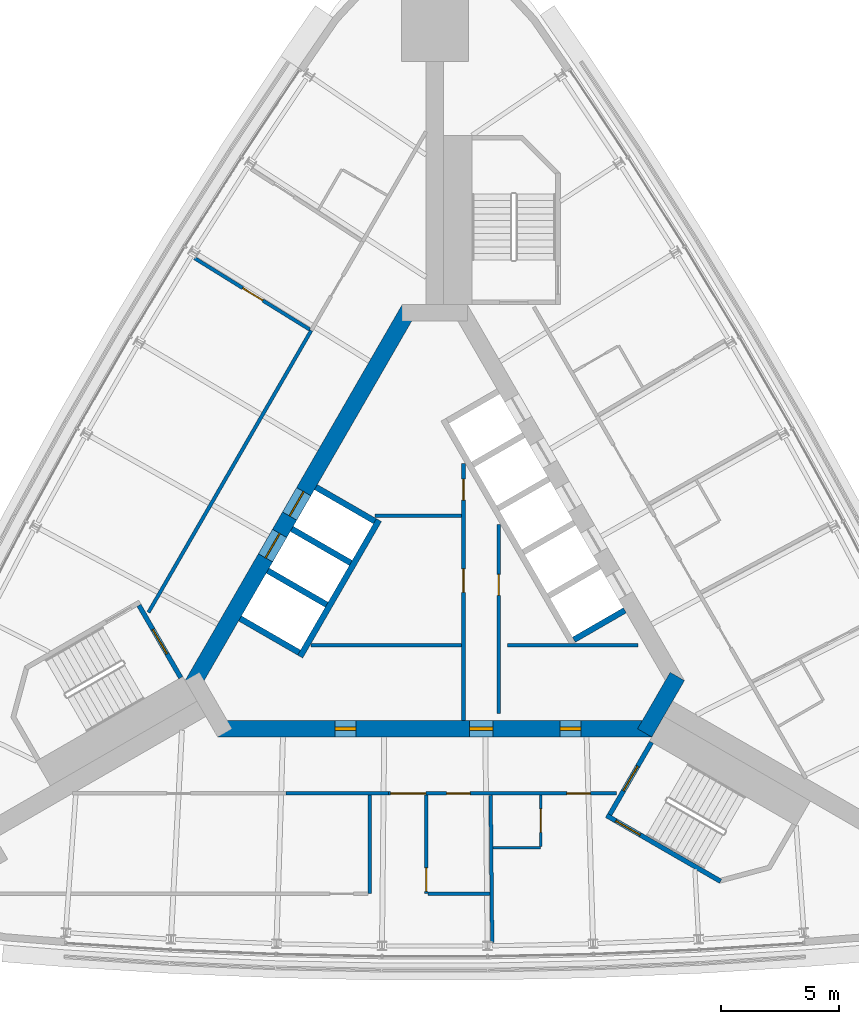
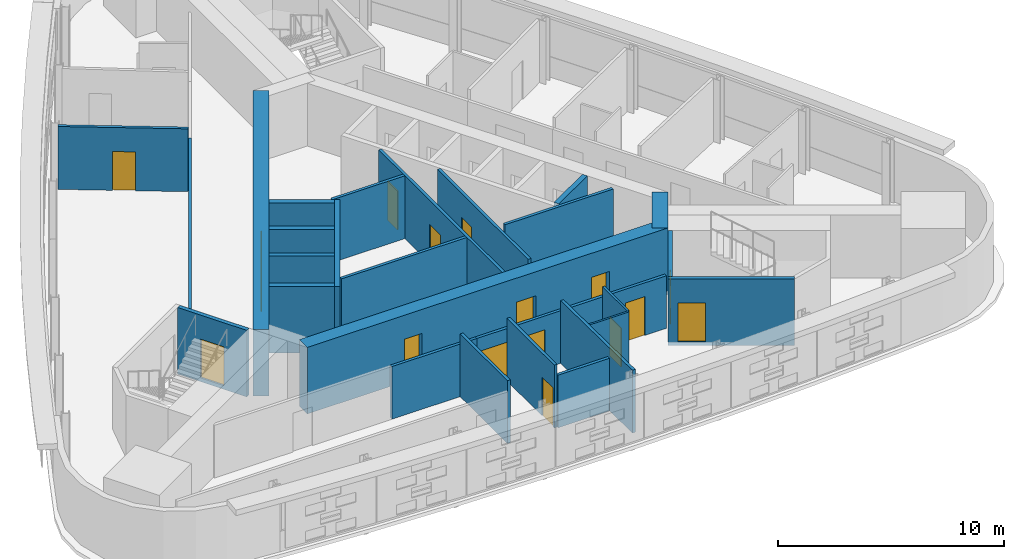
# One storey, part 8 of 12: 27 walls, 17 doors, 17 openings.
"""IFC4 building model written with IfcOpenShell, lengths in metres."""

from ifc_helpers import new_model, si_unit, direction, frame, frame_2d, origin, place, context, subcontext, project, spatial, rectangle, extrude, material, layer, layer_set, type_object, element, fill, save


model = new_model("IFC4")

# Units and contexts
model_context = context("Model", 3, precision=1e-05, world=origin(), true_north=direction((0.0, 1.0)))
body_context = subcontext(model_context, "Body", "Model", "MODEL_VIEW")
ifc_project = project(units=[si_unit("LENGTHUNIT", "METRE"), si_unit("AREAUNIT", "SQUARE_METRE"), si_unit("VOLUMEUNIT", "CUBIC_METRE"), si_unit("PLANEANGLEUNIT", "RADIAN"), si_unit("MASSUNIT", "GRAM", prefix="KILO")], contexts=[model_context])

# Site, building, storey
site_placement = place(None, origin())
site = spatial("IfcSite", under=ifc_project, at=site_placement, CompositionType="ELEMENT")
building_placement = place(site_placement, origin())
building = spatial("IfcBuilding", under=site, at=building_placement, Name="Noor Cloister Tower", CompositionType="ELEMENT")
storey_placement = place(building_placement, frame((0.0, 0.0, 158.10009765625)))
storey = spatial("IfcBuildingStorey", under=building, at=storey_placement, Name="L40", CompositionType="ELEMENT", Elevation=158.10009765625)

# Walls
ifc_material_1 = material(Name="Concrete C30/37", Category="concrete")
ifc_layer_1 = layer(ifc_material_1, 0.14990234375)
ifc_layer_set_1 = layer_set([ifc_layer_1], Name="Core partition 150 C30/37")
wall_type_1 = type_object("IfcWallType", Name="Core partition 150 C30/37", PredefinedType="PARTITIONING", material=ifc_layer_set_1)
wall_1_placement = place(storey_placement, frame((-5.2578125, -3.0283203125, 0.0), z_axis=(0.0, 0.0, 1.0), x_axis=(1.0, 0.0, 0.0)))
element("IfcWall", 1, at=wall_1_placement, inside=storey, type_object=wall_type_1, Name="Core room partition L40 1", PredefinedType="PARTITIONING", context=body_context, shape_type="SweptSolid", body=[
    extrude(rectangle(XDim=6.404052734375, YDim=0.14990234375, at=frame_2d((3.2021484375, 0.0))), origin(), (0.0, 0.0, 1.0), 3.39990234375),
])
wall_2_placement = place(storey_placement, frame((-2.55126953125, 2.4716796875, 0.0), z_axis=(0.0, 0.0, 1.0), x_axis=(1.0, 0.0, 0.0)))
element("IfcWall", 2, at=wall_2_placement, inside=storey, type_object=wall_type_1, Name="Core room partition L40 2", PredefinedType="PARTITIONING", context=body_context, shape_type="SweptSolid", body=[
    extrude(rectangle(XDim=3.697509765625, YDim=0.14990234375, at=frame_2d((1.8486328125, 0.0))), origin(), (0.0, 0.0, 1.0), 3.39990234375),
])

# Wall, openings, doors
wall_3_placement = place(storey_placement, frame((1.22119140625, 4.711181640625, 0.0), z_axis=(0.0, 0.0, 1.0), x_axis=(0.0, -1.0, 0.0)))
wall_3 = element("IfcWall", 3, at=wall_3_placement, inside=storey, type_object=wall_type_1, Name="Core room partition L40 3", PredefinedType="PARTITIONING", context=body_context, shape_type="SweptSolid", body=[
    extrude(rectangle(XDim=10.939453125, YDim=0.14990234375, at=frame_2d((5.4697265625, 0.0))), origin(), (0.0, 0.0, 1.0), 3.39990234375),
])
opening_1_placement = place(wall_3_placement, frame((4.4892578125, 0.0, 0.0)))
opening_1 = element("IfcOpeningElement", 4, at=opening_1_placement, cuts=wall_3, Name="Opening L40-904", PredefinedType="OPENING", context=body_context, shape_type="SweptSolid", body=[
    extrude(rectangle(XDim=1.0, YDim=2.10009765625, at=frame_2d((0.5, 1.050048828125))), frame((0.0, 0.0849609375, 0.0), z_axis=(0.0, -1.0, 0.0), x_axis=(1.0, 0.0, 0.0)), (0.0, 0.0, 1.0), 0.169921875),
])
opening_2_placement = place(wall_3_placement, frame((0.670654296875, 0.0, 0.0)))
opening_2 = element("IfcOpeningElement", 5, at=opening_2_placement, cuts=wall_3, Name="Opening L40-906", PredefinedType="OPENING", context=body_context, shape_type="SweptSolid", body=[
    extrude(rectangle(XDim=0.89990234375, YDim=2.10009765625, at=frame_2d((0.449951171875, 1.050048828125))), frame((0.0, 0.0849609375, 0.0), z_axis=(0.0, -1.0, 0.0), x_axis=(1.0, 0.0, 0.0)), (0.0, 0.0, 1.0), 0.169921875),
])
ifc_material_2 = material(Name="Steel", Category="steel")
door_type_1 = type_object("IfcDoorType", Name="Core door 1000 x 2100 FD60", OperationType="SINGLE_SWING_LEFT", PredefinedType="DOOR", material=ifc_material_2)
door_1_placement = place(opening_1_placement, origin())
door_1 = element("IfcDoor", 6, at=door_1_placement, inside=storey, type_object=door_type_1, Name="Core door 4 L40", OperationType="SINGLE_SWING_RIGHT", OverallHeight=2.10009765625, OverallWidth=1.0, PredefinedType="DOOR", context=body_context, shape_type="SweptSolid", body=[
    extrude(rectangle(XDim=1.0, YDim=2.10009765625, at=frame_2d((0.5, 1.050048828125))), frame((0.0, 0.02490234375, 0.0), z_axis=(0.0, -1.0, 0.0), x_axis=(1.0, 0.0, 0.0)), (0.0, 0.0, 1.0), 0.050048828125),
])
fill(opening_1, door_1)
ifc_material_3 = material(Name="Steel", Category="steel")
door_type_2 = type_object("IfcDoorType", Name="Core door 900 x 2100 FD120", OperationType="SINGLE_SWING_LEFT", PredefinedType="DOOR", material=ifc_material_3)
door_2_placement = place(opening_2_placement, origin())
door_2 = element("IfcDoor", 7, at=door_2_placement, inside=storey, type_object=door_type_2, Name="Core door 6 L40", OperationType="SINGLE_SWING_RIGHT", OverallHeight=2.10009765625, OverallWidth=0.89990234375, PredefinedType="DOOR", context=body_context, shape_type="SweptSolid", body=[
    extrude(rectangle(XDim=0.89990234375, YDim=2.10009765625, at=frame_2d((0.449951171875, 1.050048828125))), frame((0.0, 0.02490234375, 0.0), z_axis=(0.0, -1.0, 0.0), x_axis=(1.0, 0.0, 0.0)), (0.0, 0.0, 1.0), 0.050048828125),
])
fill(opening_2, door_2)

# Wall, opening, door
wall_4_placement = place(storey_placement, frame((2.72119140625, -5.92822265625, 0.0), z_axis=(0.0, 0.0, 1.0), x_axis=(0.0, 1.0, 0.0)))
wall_4 = element("IfcWall", 8, at=wall_4_placement, inside=storey, type_object=wall_type_1, Name="Core room partition L40 4", PredefinedType="PARTITIONING", context=body_context, shape_type="SweptSolid", body=[
    extrude(rectangle(XDim=8.041259765625, YDim=0.14990234375, at=frame_2d((4.0205078125, 0.0))), origin(), (0.0, 0.0, 1.0), 3.39990234375),
])
opening_3_placement = place(wall_4_placement, frame((5.01953125, 0.0, 0.0)))
opening_3 = element("IfcOpeningElement", 9, at=opening_3_placement, cuts=wall_4, Name="Opening L40-905", PredefinedType="OPENING", context=body_context, shape_type="SweptSolid", body=[
    extrude(rectangle(XDim=0.89990234375, YDim=2.10009765625, at=frame_2d((0.449951171875, 1.050048828125))), frame((0.0, 0.0849609375, 0.0), z_axis=(0.0, -1.0, 0.0), x_axis=(1.0, 0.0, 0.0)), (0.0, 0.0, 1.0), 0.169921875),
])
ifc_material_4 = material(Name="Steel", Category="steel")
door_type_3 = type_object("IfcDoorType", Name="Core door 900 x 2100 FD60", OperationType="SINGLE_SWING_LEFT", PredefinedType="DOOR", material=ifc_material_4)
door_3_placement = place(opening_3_placement, origin())
door_3 = element("IfcDoor", 10, at=door_3_placement, inside=storey, type_object=door_type_3, Name="Core door 5 L40", OperationType="SINGLE_SWING_LEFT", OverallHeight=2.10009765625, OverallWidth=0.89990234375, PredefinedType="DOOR", context=body_context, shape_type="SweptSolid", body=[
    extrude(rectangle(XDim=0.89990234375, YDim=2.10009765625, at=frame_2d((0.449951171875, 1.050048828125))), frame((0.0, 0.02490234375, 0.0), z_axis=(0.0, -1.0, 0.0), x_axis=(1.0, 0.0, 0.0)), (0.0, 0.0, 1.0), 0.050048828125),
])
fill(opening_3, door_3)

# Wall
wall_5_placement = place(storey_placement, frame((3.09619140625, -3.0283203125, 0.0), z_axis=(0.0, 0.0, 1.0), x_axis=(1.0, 0.0, 0.0)))
element("IfcWall", 11, at=wall_5_placement, inside=storey, type_object=wall_type_1, Name="Core room partition L40 5", PredefinedType="PARTITIONING", context=body_context, shape_type="SweptSolid", body=[
    extrude(rectangle(XDim=5.543701171875, YDim=0.14990234375, at=frame_2d((2.77197265625, 0.0))), origin(), (0.0, 0.0, 1.0), 3.39990234375),
])

# Wall, openings, doors
ifc_material_5 = material(Name="Concrete C70/85", Category="concrete")
ifc_layer_2 = layer(ifc_material_5, 0.699951171875)
ifc_layer_set_2 = layer_set([ifc_layer_2], Name="Core wall 700 C70/85")
wall_type_2 = type_object("IfcWallType", Name="Core wall 700 C70/85", PredefinedType="SHEAR", material=ifc_layer_set_2)
wall_6_placement = place(storey_placement, frame((-9.228759765625, -6.578125, -0.2001953125), z_axis=(0.0, 0.0, 1.0), x_axis=(1.0, 0.0, 0.0)))
wall_6 = element("IfcWall", 12, at=wall_6_placement, inside=storey, type_object=wall_type_2, Name="Core wall L40 1", PredefinedType="SHEAR", context=body_context, shape_type="SweptSolid", body=[
    extrude(rectangle(XDim=18.45751953125, YDim=0.699951171875, at=frame_2d((9.228759765625, 0.0))), origin(), (0.0, 0.0, 1.0), 3.60009765625),
])
opening_4_placement = place(wall_6_placement, frame((10.699951171875, 0.0, 0.199951171875)))
opening_4 = element("IfcOpeningElement", 13, at=opening_4_placement, cuts=wall_6, Name="Opening L40-901", PredefinedType="OPENING", context=body_context, shape_type="SweptSolid", body=[
    extrude(rectangle(XDim=1.0, YDim=2.10009765625, at=frame_2d((0.5, 1.050048828125))), frame((0.0, 0.35986328125, 0.0), z_axis=(0.0, -1.0, 0.0), x_axis=(1.0, 0.0, 0.0)), (0.0, 0.0, 1.0), 0.719970703125),
])
opening_5_placement = place(wall_6_placement, frame((4.97705078125, 0.0, 0.199951171875)))
opening_5 = element("IfcOpeningElement", 14, at=opening_5_placement, cuts=wall_6, Name="Opening L40-902", PredefinedType="OPENING", context=body_context, shape_type="SweptSolid", body=[
    extrude(rectangle(XDim=0.89990234375, YDim=2.10009765625, at=frame_2d((0.449951171875, 1.050048828125))), frame((0.0, 0.35986328125, 0.0), z_axis=(0.0, -1.0, 0.0), x_axis=(1.0, 0.0, 0.0)), (0.0, 0.0, 1.0), 0.719970703125),
])
opening_6_placement = place(wall_6_placement, frame((14.551513671875, 0.0, 0.199951171875)))
opening_6 = element("IfcOpeningElement", 15, at=opening_6_placement, cuts=wall_6, Name="Opening L40-903", PredefinedType="OPENING", context=body_context, shape_type="SweptSolid", body=[
    extrude(rectangle(XDim=0.89990234375, YDim=2.10009765625, at=frame_2d((0.449951171875, 1.050048828125))), frame((0.0, 0.35986328125, 0.0), z_axis=(0.0, -1.0, 0.0), x_axis=(1.0, 0.0, 0.0)), (0.0, 0.0, 1.0), 0.719970703125),
])
ifc_material_6 = material(Name="Steel", Category="steel")
door_type_4 = type_object("IfcDoorType", Name="Core door 1000 x 2100 FD120", OperationType="SINGLE_SWING_LEFT", PredefinedType="DOOR", material=ifc_material_6)
door_4_placement = place(opening_4_placement, origin())
door_4 = element("IfcDoor", 16, at=door_4_placement, inside=storey, type_object=door_type_4, Name="Core door 1 L40", OperationType="SINGLE_SWING_LEFT", OverallHeight=2.10009765625, OverallWidth=1.0, PredefinedType="DOOR", context=body_context, shape_type="SweptSolid", body=[
    extrude(rectangle(XDim=1.0, YDim=2.10009765625, at=frame_2d((0.5, 1.050048828125))), frame((0.0, 0.074951171875, 0.0), z_axis=(0.0, -1.0, 0.0), x_axis=(1.0, 0.0, 0.0)), (0.0, 0.0, 1.0), 0.14990234375),
])
fill(opening_4, door_4)
door_5_placement = place(opening_5_placement, origin())
door_5 = element("IfcDoor", 17, at=door_5_placement, inside=storey, type_object=door_type_2, Name="Core door 2 L40", OperationType="SINGLE_SWING_RIGHT", OverallHeight=2.10009765625, OverallWidth=0.89990234375, PredefinedType="DOOR", context=body_context, shape_type="SweptSolid", body=[
    extrude(rectangle(XDim=0.89990234375, YDim=2.10009765625, at=frame_2d((0.449951171875, 1.050048828125))), frame((0.0, 0.074951171875, 0.0), z_axis=(0.0, -1.0, 0.0), x_axis=(1.0, 0.0, 0.0)), (0.0, 0.0, 1.0), 0.14990234375),
])
fill(opening_5, door_5)
door_6_placement = place(opening_6_placement, origin())
door_6 = element("IfcDoor", 18, at=door_6_placement, inside=storey, type_object=door_type_2, Name="Core door 3 L40", OperationType="SINGLE_SWING_LEFT", OverallHeight=2.10009765625, OverallWidth=0.89990234375, PredefinedType="DOOR", context=body_context, shape_type="SweptSolid", body=[
    extrude(rectangle(XDim=0.89990234375, YDim=2.10009765625, at=frame_2d((0.449951171875, 1.050048828125))), frame((0.0, 0.074951171875, 0.0), z_axis=(0.0, -1.0, 0.0), x_axis=(1.0, 0.0, 0.0)), (0.0, 0.0, 1.0), 0.14990234375),
])
fill(opening_6, door_6)

# Wall
wall_7_placement = place(storey_placement, frame((8.925537109375, -6.753173828125, -0.2001953125), z_axis=(0.0, 0.0, 1.0), x_axis=(0.500042739161, 0.866000726912, 0.0)))
element("IfcWall", 19, at=wall_7_placement, inside=storey, type_object=wall_type_2, Name="Core wall L40 2", PredefinedType="SHEAR", context=body_context, shape_type="SweptSolid", body=[
    extrude(rectangle(XDim=2.771240234375, YDim=0.699951171875, at=frame_2d((1.3857421875, 0.0))), origin(), (0.0, 0.0, 1.0), 3.60009765625),
])

# Wall, openings, doors
wall_8_placement = place(storey_placement, frame((-1.08251953125, 11.281494140625, -0.2001953125), z_axis=(0.0, 0.0, 1.0), x_axis=(-0.500001446645, -0.866024568562, 0.0)))
wall_8 = element("IfcWall", 20, at=wall_8_placement, inside=storey, type_object=wall_type_2, Name="Core wall L40 5", PredefinedType="SHEAR", context=body_context, shape_type="SweptSolid", body=[
    extrude(rectangle(XDim=18.45751953125, YDim=0.699951171875, at=frame_2d((9.228759765625, 0.0))), origin(), (0.0, 0.0, 1.0), 3.60009765625),
])
opening_7_placement = place(wall_8_placement, frame((8.978759765625, 0.0, 0.199951171875)))
opening_7 = element("IfcOpeningElement", 21, at=opening_7_placement, cuts=wall_8, Name="Opening L40-FF1", PredefinedType="OPENING", context=body_context, shape_type="SweptSolid", body=[
    extrude(rectangle(XDim=1.199951171875, YDim=2.10009765625, at=frame_2d((0.60009765625, 1.050048828125))), frame((0.0, 0.35986328125, 0.0), z_axis=(0.0, -1.0, 0.0), x_axis=(1.0, 0.0, 0.0)), (0.0, 0.0, 1.0), 0.719970703125),
])
opening_8_placement = place(wall_8_placement, frame((11.02880859375, 0.0, 0.199951171875)))
opening_8 = element("IfcOpeningElement", 22, at=opening_8_placement, cuts=wall_8, Name="Opening L40-FF2", PredefinedType="OPENING", context=body_context, shape_type="SweptSolid", body=[
    extrude(rectangle(XDim=1.199951171875, YDim=2.10009765625, at=frame_2d((0.60009765625, 1.050048828125))), frame((0.0, 0.35986328125, 0.0), z_axis=(0.0, -1.0, 0.0), x_axis=(1.0, 0.0, 0.0)), (0.0, 0.0, 1.0), 0.719970703125),
])
ifc_material_7 = material(Name="Stainless steel", Category="steel")
door_type_5 = type_object("IfcDoorType", Name="Lift landing door 1200 x 2100", OperationType="DOUBLE_DOOR_SLIDING", PredefinedType="DOOR", material=ifc_material_7)
door_7_placement = place(opening_7_placement, origin())
door_7 = element("IfcDoor", 23, at=door_7_placement, inside=storey, type_object=door_type_5, Name="Landing door FF1 L40", OperationType="DOUBLE_DOOR_SLIDING", OverallHeight=2.10009765625, OverallWidth=1.199951171875, PredefinedType="DOOR", context=body_context, shape_type="SweptSolid", body=[
    extrude(rectangle(XDim=1.199951171875, YDim=2.10009765625, at=frame_2d((0.60009765625, 1.050048828125))), frame((0.0, 0.02490234375, 0.0), z_axis=(0.0, -1.0, 0.0), x_axis=(1.0, 0.0, 0.0)), (0.0, 0.0, 1.0), 0.050048828125),
])
fill(opening_7, door_7)
door_8_placement = place(opening_8_placement, origin())
door_8 = element("IfcDoor", 24, at=door_8_placement, inside=storey, type_object=door_type_5, Name="Landing door FF2 L40", OperationType="DOUBLE_DOOR_SLIDING", OverallHeight=2.10009765625, OverallWidth=1.199951171875, PredefinedType="DOOR", context=body_context, shape_type="SweptSolid", body=[
    extrude(rectangle(XDim=1.199951171875, YDim=2.10009765625, at=frame_2d((0.60009765625, 1.050048828125))), frame((0.0, 0.02490234375, 0.0), z_axis=(0.0, -1.0, 0.0), x_axis=(1.0, 0.0, 0.0)), (0.0, 0.0, 1.0), 0.050048828125),
])
fill(opening_8, door_8)

# Wall
ifc_material_8 = material(Name="Fire-rated gypsum board partition on steel studs, 150 mm", Category="steel")
ifc_layer_3 = layer(ifc_material_8, 0.14990234375)
ifc_layer_set_3 = layer_set([ifc_layer_3], Name="Fire lobby wall 150")
wall_type_3 = type_object("IfcWallType", Name="Fire lobby wall 150", PredefinedType="PARTITIONING", material=ifc_layer_set_3)
wall_9_placement = place(storey_placement, frame((-5.253173828125, 10.357666015625, 0.0), z_axis=(0.0, 0.0, 1.0), x_axis=(-0.49999425657, -0.86602871973, 0.0)))
element("IfcWall", 25, at=wall_9_placement, inside=storey, type_object=wall_type_3, Name="Wall L40-W25", PredefinedType="PARTITIONING", context=body_context, shape_type="SweptSolid", body=[
    extrude(rectangle(XDim=13.840087890625, YDim=0.14990234375, at=frame_2d((6.919921875, 0.0))), origin(), (0.0, 0.0, 1.0), 2.846923828125),
])

# Wall, openings, doors
ifc_material_9 = material(Name="Gypsum board partition on steel studs, 150 mm", Category="steel")
ifc_layer_4 = layer(ifc_material_9, 0.14990234375)
ifc_layer_set_4 = layer_set([ifc_layer_4], Name="Flat wall 150")
wall_type_4 = type_object("IfcWallType", Name="Flat wall 150", PredefinedType="PARTITIONING", material=ifc_layer_set_4)
wall_10_placement = place(storey_placement, frame((-1.976318359375, -9.328125, 0.0), z_axis=(0.0, 0.0, 1.0), x_axis=(1.0, 0.0, 0.0)))
wall_10 = element("IfcWall", 26, at=wall_10_placement, inside=storey, type_object=wall_type_4, Name="Wall L40-W15", PredefinedType="PARTITIONING", context=body_context, shape_type="SweptSolid", body=[
    extrude(rectangle(XDim=9.703857421875, YDim=0.14990234375, at=frame_2d((4.85205078125, 0.0))), origin(), (0.0, 0.0, 1.0), 2.846923828125),
])
opening_9_placement = place(wall_10_placement, frame((0.10009765625, 0.0, 0.0)))
opening_9 = element("IfcOpeningElement", 27, at=opening_9_placement, cuts=wall_10, Name="Opening L40-009", PredefinedType="OPENING", context=body_context, shape_type="SweptSolid", body=[
    extrude(rectangle(XDim=1.5, YDim=2.10009765625, at=frame_2d((0.75, 1.050048828125))), frame((0.0, 0.0849609375, 0.0), z_axis=(0.0, -1.0, 0.0), x_axis=(1.0, 0.0, 0.0)), (0.0, 0.0, 1.0), 0.169921875),
])
opening_10_placement = place(wall_10_placement, frame((2.483642578125, 0.0, 0.0)))
opening_10 = element("IfcOpeningElement", 28, at=opening_10_placement, cuts=wall_10, Name="Opening L40-013", PredefinedType="OPENING", context=body_context, shape_type="SweptSolid", body=[
    extrude(rectangle(XDim=1.0, YDim=2.10009765625, at=frame_2d((0.5, 1.050048828125))), frame((0.0, 0.0849609375, 0.0), z_axis=(0.0, -1.0, 0.0), x_axis=(1.0, 0.0, 0.0)), (0.0, 0.0, 1.0), 0.169921875),
])
opening_11_placement = place(wall_10_placement, frame((7.59033203125, 0.0, 0.0)))
opening_11 = element("IfcOpeningElement", 29, at=opening_11_placement, cuts=wall_10, Name="Opening L40-015", PredefinedType="OPENING", context=body_context, shape_type="SweptSolid", body=[
    extrude(rectangle(XDim=1.0, YDim=2.10009765625, at=frame_2d((0.5, 1.050048828125))), frame((0.0, 0.0849609375, 0.0), z_axis=(0.0, -1.0, 0.0), x_axis=(1.0, 0.0, 0.0)), (0.0, 0.0, 1.0), 0.169921875),
])
ifc_material_10 = material(Name="Timber door leaf with steel frame", Category="steel")
door_type_6 = type_object("IfcDoorType", Name="Double door 1500 FD60", OperationType="NOTDEFINED", PredefinedType="DOOR", material=ifc_material_10)
door_9_placement = place(opening_9_placement, origin())
door_9 = element("IfcDoor", 30, at=door_9_placement, inside=storey, type_object=door_type_6, Name="Door L40-009", OperationType="DOUBLE_DOOR_SINGLE_SWING", OverallHeight=2.10009765625, OverallWidth=1.5, PredefinedType="DOOR", context=body_context, shape_type="SweptSolid", body=[
    extrude(rectangle(XDim=1.5, YDim=2.10009765625, at=frame_2d((0.75, 1.050048828125))), frame((0.0, 0.02490234375, 0.0), z_axis=(0.0, -1.0, 0.0), x_axis=(1.0, 0.0, 0.0)), (0.0, 0.0, 1.0), 0.050048828125),
])
fill(opening_9, door_9)
ifc_material_11 = material(Name="Timber door leaf with steel frame", Category="steel")
door_type_7 = type_object("IfcDoorType", Name="Flat entrance door 1000", OperationType="NOTDEFINED", PredefinedType="DOOR", material=ifc_material_11)
door_10_placement = place(opening_11_placement, origin())
door_10 = element("IfcDoor", 31, at=door_10_placement, inside=storey, type_object=door_type_7, Name="Door L40-015", OperationType="SINGLE_SWING_LEFT", OverallHeight=2.10009765625, OverallWidth=1.0, PredefinedType="DOOR", context=body_context, shape_type="SweptSolid", body=[
    extrude(rectangle(XDim=1.0, YDim=2.10009765625, at=frame_2d((0.5, 1.050048828125))), frame((0.0, 0.02490234375, 0.0), z_axis=(0.0, -1.0, 0.0), x_axis=(1.0, 0.0, 0.0)), (0.0, 0.0, 1.0), 0.050048828125),
])
fill(opening_11, door_10)
ifc_material_12 = material(Name="Timber door leaf with steel frame", Category="steel")
door_type_8 = type_object("IfcDoorType", Name="Interior door 1000 FD60", OperationType="NOTDEFINED", PredefinedType="DOOR", material=ifc_material_12)
door_11_placement = place(opening_10_placement, origin())
door_11 = element("IfcDoor", 32, at=door_11_placement, inside=storey, type_object=door_type_8, Name="Door L40-013", OperationType="SINGLE_SWING_LEFT", OverallHeight=2.10009765625, OverallWidth=1.0, PredefinedType="DOOR", context=body_context, shape_type="SweptSolid", body=[
    extrude(rectangle(XDim=1.0, YDim=2.10009765625, at=frame_2d((0.5, 1.050048828125))), frame((0.0, 0.02490234375, 0.0), z_axis=(0.0, -1.0, 0.0), x_axis=(1.0, 0.0, 0.0)), (0.0, 0.0, 1.0), 0.050048828125),
])
fill(opening_10, door_11)

# Walls
wall_11_placement = place(storey_placement, frame((-6.330810546875, -9.328125, 0.0), z_axis=(0.0, 0.0, 1.0), x_axis=(1.0, 0.0, 0.0)))
element("IfcWall", 33, at=wall_11_placement, inside=storey, type_object=wall_type_4, Name="Wall L40-W16", PredefinedType="PARTITIONING", context=body_context, shape_type="SweptSolid", body=[
    extrude(rectangle(XDim=4.3544921875, YDim=0.14990234375, at=frame_2d((2.17724609375, 0.0))), origin(), (0.0, 0.0, 1.0), 2.846923828125),
])
wall_12_placement = place(storey_placement, frame((2.442626953125, -15.654541015625, 0.0), z_axis=(0.0, 0.0, 1.0), x_axis=(-0.010466132445, 0.999945228536, 0.0)))
element("IfcWall", 34, at=wall_12_placement, inside=storey, type_object=wall_type_4, Name="Wall L40-W17", PredefinedType="PARTITIONING", context=body_context, shape_type="SweptSolid", body=[
    extrude(rectangle(XDim=6.25146484375, YDim=0.14990234375, at=frame_2d((3.125732421875, 0.0))), origin(), (0.0, 0.0, 1.0), 3.39990234375),
])
wall_13_placement = place(storey_placement, frame((-2.76171875, -9.4033203125, 0.0), z_axis=(0.0, 0.0, 1.0), x_axis=(0.0, -1.0, 0.0)))
element("IfcWall", 35, at=wall_13_placement, inside=storey, type_object=wall_type_4, Name="Wall L40-W18", PredefinedType="PARTITIONING", context=body_context, shape_type="SweptSolid", body=[
    extrude(rectangle(XDim=4.18310546875, YDim=0.14990234375, at=frame_2d((2.091552734375, 0.0))), origin(), (0.0, 0.0, 1.0), 3.39990234375),
])

# Wall, opening, door
wall_14_placement = place(storey_placement, frame((-0.36181640625, -9.4033203125, 0.0), z_axis=(0.0, 0.0, 1.0), x_axis=(0.0, -1.0, 0.0)))
wall_14 = element("IfcWall", 36, at=wall_14_placement, inside=storey, type_object=wall_type_4, Name="Wall L40-W19", PredefinedType="PARTITIONING", context=body_context, shape_type="SweptSolid", body=[
    extrude(rectangle(XDim=4.18310546875, YDim=0.14990234375, at=frame_2d((2.091552734375, 0.0))), origin(), (0.0, 0.0, 1.0), 3.39990234375),
])
opening_12_placement = place(wall_14_placement, frame((3.083251953125, 0.0, 0.0)))
opening_12 = element("IfcOpeningElement", 37, at=opening_12_placement, cuts=wall_14, Name="Opening L40-012", PredefinedType="OPENING", context=body_context, shape_type="SweptSolid", body=[
    extrude(rectangle(XDim=1.0, YDim=2.10009765625, at=frame_2d((0.5, 1.050048828125))), frame((0.0, 0.0849609375, 0.0), z_axis=(0.0, -1.0, 0.0), x_axis=(1.0, 0.0, 0.0)), (0.0, 0.0, 1.0), 0.169921875),
])
door_12_placement = place(opening_12_placement, origin())
door_12 = element("IfcDoor", 38, at=door_12_placement, inside=storey, type_object=door_type_8, Name="Door L40-012", OperationType="SINGLE_SWING_RIGHT", OverallHeight=2.10009765625, OverallWidth=1.0, PredefinedType="DOOR", context=body_context, shape_type="SweptSolid", body=[
    extrude(rectangle(XDim=1.0, YDim=2.10009765625, at=frame_2d((0.5, 1.050048828125))), frame((0.0, 0.02490234375, 0.0), z_axis=(0.0, -1.0, 0.0), x_axis=(1.0, 0.0, 0.0)), (0.0, 0.0, 1.0), 0.050048828125),
])
fill(opening_12, door_12)

# Wall
wall_15_placement = place(storey_placement, frame((-0.28662109375, -13.58642578125, 0.0), z_axis=(0.0, 0.0, 1.0), x_axis=(1.0, 0.0, 0.0)))
element("IfcWall", 39, at=wall_15_placement, inside=storey, type_object=wall_type_4, Name="Wall L40-W21", PredefinedType="PARTITIONING", context=body_context, shape_type="SweptSolid", body=[
    extrude(rectangle(XDim=2.632568359375, YDim=0.14990234375, at=frame_2d((1.31640625, 0.0))), origin(), (0.0, 0.0, 1.0), 2.846923828125),
])

# Wall, opening, door
wall_16_placement = place(storey_placement, frame((-10.2197265625, 13.43701171875, 0.0), z_axis=(0.0, 0.0, 1.0), x_axis=(0.849899659129, -0.526944560094, 0.0)))
wall_16 = element("IfcWall", 40, at=wall_16_placement, inside=storey, type_object=wall_type_4, Name="Wall L40-W27", PredefinedType="PARTITIONING", context=body_context, shape_type="SweptSolid", body=[
    extrude(rectangle(XDim=5.768798828125, YDim=0.14990234375, at=frame_2d((2.88427734375, 0.0))), origin(), (0.0, 0.0, 1.0), 3.39990234375),
])
opening_13_placement = place(wall_16_placement, frame((2.421875, 0.0, 0.0)))
opening_13 = element("IfcOpeningElement", 41, at=opening_13_placement, cuts=wall_16, Name="Opening L40-019", PredefinedType="OPENING", context=body_context, shape_type="SweptSolid", body=[
    extrude(rectangle(XDim=1.0, YDim=2.10009765625, at=frame_2d((0.5, 1.050048828125))), frame((0.0, 0.0849609375, 0.0), z_axis=(0.0, -1.0, 0.0), x_axis=(1.0, 0.0, 0.0)), (0.0, 0.0, 1.0), 0.169921875),
])
door_13_placement = place(opening_13_placement, origin())
door_13 = element("IfcDoor", 42, at=door_13_placement, inside=storey, type_object=door_type_8, Name="Door L40-019", OperationType="SINGLE_SWING_LEFT", OverallHeight=2.10009765625, OverallWidth=1.0, PredefinedType="DOOR", context=body_context, shape_type="SweptSolid", body=[
    extrude(rectangle(XDim=1.0, YDim=2.10009765625, at=frame_2d((0.5, 1.050048828125))), frame((0.0, 0.02490234375, 0.0), z_axis=(0.0, -1.0, 0.0), x_axis=(1.0, 0.0, 0.0)), (0.0, 0.0, 1.0), 0.050048828125),
])
fill(opening_13, door_13)

# Wall
ifc_material_13 = material(Name="Gypsum board partition on steel studs, 100 mm", Category="steel")
ifc_layer_5 = layer(ifc_material_13, 0.10009765625)
ifc_layer_set_5 = layer_set([ifc_layer_5], Name="Partition 100")
wall_type_5 = type_object("IfcWallType", Name="Partition 100", PredefinedType="PARTITIONING", material=ifc_layer_set_5)
wall_17_placement = place(storey_placement, frame((2.475341796875, -11.628173828125, 0.0), z_axis=(0.0, 0.0, 1.0), x_axis=(1.0, 0.0, 0.0)))
element("IfcWall", 43, at=wall_17_placement, inside=storey, type_object=wall_type_5, Name="Wall L40-W22", PredefinedType="PARTITIONING", context=body_context, shape_type="SweptSolid", body=[
    extrude(rectangle(XDim=2.025146484375, YDim=0.10009765625, at=frame_2d((1.0126953125, 0.0))), origin(), (0.0, 0.0, 1.0), 3.39990234375),
])

# Wall, opening, door
wall_18_placement = place(storey_placement, frame((4.50048828125, -11.578125, 0.0), z_axis=(0.0, 0.0, 1.0), x_axis=(0.0, 1.0, 0.0)))
wall_18 = element("IfcWall", 44, at=wall_18_placement, inside=storey, type_object=wall_type_5, Name="Wall L40-W23", PredefinedType="PARTITIONING", context=body_context, shape_type="SweptSolid", body=[
    extrude(rectangle(XDim=2.1748046875, YDim=0.10009765625, at=frame_2d((1.08740234375, 0.0))), origin(), (0.0, 0.0, 1.0), 3.39990234375),
])
opening_14_placement = place(wall_18_placement, frame((0.60009765625, 0.0, 0.0)))
opening_14 = element("IfcOpeningElement", 45, at=opening_14_placement, cuts=wall_18, Name="Opening L40-014", PredefinedType="OPENING", context=body_context, shape_type="SweptSolid", body=[
    extrude(rectangle(XDim=1.0, YDim=2.10009765625, at=frame_2d((0.5, 1.050048828125))), frame((0.0, 0.06005859375, 0.0), z_axis=(0.0, -1.0, 0.0), x_axis=(1.0, 0.0, 0.0)), (0.0, 0.0, 1.0), 0.1201171875),
])
ifc_material_14 = material(Name="Timber door leaf with steel frame", Category="steel")
door_type_9 = type_object("IfcDoorType", Name="Interior door 1000", OperationType="NOTDEFINED", PredefinedType="DOOR", material=ifc_material_14)
door_14_placement = place(opening_14_placement, origin())
door_14 = element("IfcDoor", 46, at=door_14_placement, inside=storey, type_object=door_type_9, Name="Door L40-014", OperationType="SINGLE_SWING_RIGHT", OverallHeight=2.10009765625, OverallWidth=1.0, PredefinedType="DOOR", context=body_context, shape_type="SweptSolid", body=[
    extrude(rectangle(XDim=1.0, YDim=2.10009765625, at=frame_2d((0.5, 1.050048828125))), frame((0.0, 0.02490234375, 0.0), z_axis=(0.0, -1.0, 0.0), x_axis=(1.0, 0.0, 0.0)), (0.0, 0.0, 1.0), 0.050048828125),
])
fill(opening_14, door_14)

# Walls
ifc_material_15 = material(Name="Concrete C70/85", Category="concrete")
ifc_layer_6 = layer(ifc_material_15, 0.25)
ifc_layer_set_6 = layer_set([ifc_layer_6], Name="Shaft wall 250 C70/85")
wall_type_6 = type_object("IfcWallType", Name="Shaft wall 250 C70/85", PredefinedType="PARTITIONING", material=ifc_layer_set_6)
wall_19_placement = place(storey_placement, frame((8.081298828125, -1.540771484375, -0.2001953125), z_axis=(0.0, 0.0, 1.0), x_axis=(-0.866022959057, -0.500004234368, 0.0)))
element("IfcWall", 47, at=wall_19_placement, inside=storey, type_object=wall_type_6, Name="Lift shaft wall L40 NE 1", PredefinedType="PARTITIONING", context=body_context, shape_type="SweptSolid", body=[
    extrude(rectangle(XDim=2.5, YDim=0.25, at=frame_2d((1.25, 0.0))), origin(), (0.0, 0.0, 1.0), 3.60009765625),
])
for number, where, z_axis, x_axis, name in (
    (48, (-5.056396484375, 3.69873046875, -0.2001953125), (0.0, 0.0, 1.0), (0.866032775405, -0.499987231761, 0.0), "Lift shaft wall L40 NW 3"),
    (49, (-6.081298828125, 1.92333984375, -0.2001953125), (0.0, 0.0, 1.0), (0.866032775405, -0.499987231761, 0.0), "Lift shaft wall L40 NW 4"),
    (50, (-7.106201171875, 0.14794921875, -0.2001953125), (0.0, 0.0, 1.0), (0.866032775405, -0.499987231761, 0.0), "Lift shaft wall L40 NW 5"),
    (51, (-8.28125, -1.88720703125, -0.2001953125), (0.0, 0.0, 1.0), (0.866032775405, -0.499987231761, 0.0), "Lift shaft wall L40 NW 6"),
):
    element("IfcWall", number, at=place(storey_placement, frame(where, z_axis=z_axis, x_axis=x_axis)), inside=storey, type_object=wall_type_6, Name=name, PredefinedType="PARTITIONING", context=body_context, shape_type="SweptSolid", body=[
        extrude(rectangle(XDim=2.89990234375, YDim=0.25, at=frame_2d((1.449951171875, 0.0))), origin(), (0.0, 0.0, 1.0), 3.60009765625),
    ])
wall_20_placement = place(storey_placement, frame((-2.3740234375, 2.29443359375, 0.0), z_axis=(0.0, 0.0, 1.0), x_axis=(-0.500003174267, -0.866023571113, 0.0)))
element("IfcWall", 52, at=wall_20_placement, inside=storey, type_object=wall_type_6, Name="Lift shaft back wall L40 NW", PredefinedType="PARTITIONING", context=body_context, shape_type="SweptSolid", body=[
    extrude(rectangle(XDim=6.7001953125, YDim=0.25, at=frame_2d((3.35009765625, 0.0))), origin(), (0.0, 0.0, 1.0), 3.39990234375),
])

# Wall, opening, door
ifc_material_16 = material(Name="Concrete C70/85", Category="concrete")
ifc_layer_7 = layer(ifc_material_16, 0.199951171875)
ifc_layer_set_7 = layer_set([ifc_layer_7], Name="Stair enclosure wall 200 C70/85")
wall_type_7 = type_object("IfcWallType", Name="Stair enclosure wall 200 C70/85", PredefinedType="SHEAR", material=ifc_layer_set_7)
wall_21_placement = place(storey_placement, frame((-12.575927734375, -1.33056640625, -0.2001953125), z_axis=(0.0, 0.0, 1.0), x_axis=(0.499970499736, -0.8660424351, 0.0)))
wall_21 = element("IfcWall", 53, at=wall_21_placement, inside=storey, type_object=wall_type_7, Name="Stair enclosure wall ST2 L40 near end", PredefinedType="SHEAR", context=body_context, shape_type="SweptSolid", body=[
    extrude(rectangle(XDim=3.550048828125, YDim=0.199951171875, at=frame_2d((1.77490234375, 0.0))), origin(), (0.0, 0.0, 1.0), 3.60009765625),
])
opening_15_placement = place(wall_21_placement, frame((1.175048828125, 0.0, 0.199951171875)))
opening_15 = element("IfcOpeningElement", 54, at=opening_15_placement, cuts=wall_21, Name="Opening L40-ST2L", PredefinedType="OPENING", context=body_context, shape_type="SweptSolid", body=[
    extrude(rectangle(XDim=1.199951171875, YDim=2.10009765625, at=frame_2d((0.60009765625, 1.050048828125))), frame((0.0, 0.10986328125, 0.0), z_axis=(0.0, -1.0, 0.0), x_axis=(1.0, 0.0, 0.0)), (0.0, 0.0, 1.0), 0.219970703125),
])
ifc_material_17 = material(Name="Steel", Category="steel")
door_type_10 = type_object("IfcDoorType", Name="Stair door 1200 x 2100 FD120", OperationType="SINGLE_SWING_LEFT", PredefinedType="DOOR", material=ifc_material_17)
door_15_placement = place(opening_15_placement, origin())
door_15 = element("IfcDoor", 55, at=door_15_placement, inside=storey, type_object=door_type_10, Name="Stair door ST2 L40", OperationType="SINGLE_SWING_RIGHT", OverallHeight=2.10009765625, OverallWidth=1.199951171875, PredefinedType="DOOR", context=body_context, shape_type="SweptSolid", body=[
    extrude(rectangle(XDim=1.199951171875, YDim=2.10009765625, at=frame_2d((0.60009765625, 1.050048828125))), frame((0.0, 0.02490234375, 0.0), z_axis=(0.0, -1.0, 0.0), x_axis=(1.0, 0.0, 0.0)), (0.0, 0.0, 1.0), 0.050048828125),
])
fill(opening_15, door_15)

wall_22_placement = place(storey_placement, frame((7.440185546875, -10.225830078125, -0.2001953125), z_axis=(0.0, 0.0, 1.0), x_axis=(0.500022077904, 0.866012656725, 0.0)))
wall_22 = element("IfcWall", 56, at=wall_22_placement, inside=storey, type_object=wall_type_7, Name="Stair enclosure wall ST3 L40 near end", PredefinedType="SHEAR", context=body_context, shape_type="SweptSolid", body=[
    extrude(rectangle(XDim=3.550048828125, YDim=0.199951171875, at=frame_2d((1.77490234375, 0.0))), origin(), (0.0, 0.0, 1.0), 3.60009765625),
])
opening_16_placement = place(wall_22_placement, frame((1.175048828125, 0.0, 0.199951171875)))
opening_16 = element("IfcOpeningElement", 57, at=opening_16_placement, cuts=wall_22, Name="Opening L40-ST3L", PredefinedType="OPENING", context=body_context, shape_type="SweptSolid", body=[
    extrude(rectangle(XDim=1.199951171875, YDim=2.10009765625, at=frame_2d((0.60009765625, 1.050048828125))), frame((0.0, 0.10986328125, 0.0), z_axis=(0.0, -1.0, 0.0), x_axis=(1.0, 0.0, 0.0)), (0.0, 0.0, 1.0), 0.219970703125),
])
door_16_placement = place(opening_16_placement, origin())
door_16 = element("IfcDoor", 58, at=door_16_placement, inside=storey, type_object=door_type_10, Name="Stair door ST3 L40", OperationType="SINGLE_SWING_RIGHT", OverallHeight=2.10009765625, OverallWidth=1.199951171875, PredefinedType="DOOR", context=body_context, shape_type="SweptSolid", body=[
    extrude(rectangle(XDim=1.199951171875, YDim=2.10009765625, at=frame_2d((0.60009765625, 1.050048828125))), frame((0.0, 0.02490234375, 0.0), z_axis=(0.0, -1.0, 0.0), x_axis=(1.0, 0.0, 0.0)), (0.0, 0.0, 1.0), 0.050048828125),
])
fill(opening_16, door_16)

wall_23_placement = place(storey_placement, frame((7.3037109375, -10.262451171875, -0.2001953125), z_axis=(0.0, 0.0, 1.0), x_axis=(0.866026594901, -0.49999793692, 0.0)))
wall_23 = element("IfcWall", 59, at=wall_23_placement, inside=storey, type_object=wall_type_7, Name="Stair enclosure wall ST3 L40 outer side", PredefinedType="SHEAR", context=body_context, shape_type="SweptSolid", body=[
    extrude(rectangle(XDim=5.60009765625, YDim=0.199951171875, at=frame_2d((2.800048828125, 0.0))), origin(), (0.0, 0.0, 1.0), 3.60009765625),
])
opening_17_placement = place(wall_23_placement, frame((0.449951171875, 0.0, 0.199951171875)))
opening_17 = element("IfcOpeningElement", 60, at=opening_17_placement, cuts=wall_23, Name="Opening L40-ST3C", PredefinedType="OPENING", context=body_context, shape_type="SweptSolid", body=[
    extrude(rectangle(XDim=1.199951171875, YDim=2.10009765625, at=frame_2d((0.60009765625, 1.050048828125))), frame((0.0, 0.10986328125, 0.0), z_axis=(0.0, -1.0, 0.0), x_axis=(1.0, 0.0, 0.0)), (0.0, 0.0, 1.0), 0.219970703125),
])
door_17_placement = place(opening_17_placement, origin())
door_17 = element("IfcDoor", 61, at=door_17_placement, inside=storey, type_object=door_type_10, Name="Stair door ST3 L40", OperationType="SINGLE_SWING_LEFT", OverallHeight=2.10009765625, OverallWidth=1.199951171875, PredefinedType="DOOR", context=body_context, shape_type="SweptSolid", body=[
    extrude(rectangle(XDim=1.199951171875, YDim=2.10009765625, at=frame_2d((0.60009765625, 1.050048828125))), frame((0.0, 0.02490234375, 0.0), z_axis=(0.0, -1.0, 0.0), x_axis=(1.0, 0.0, 0.0)), (0.0, 0.0, 1.0), 0.050048828125),
])
fill(opening_17, door_17)

save(model, "model.ifc")
